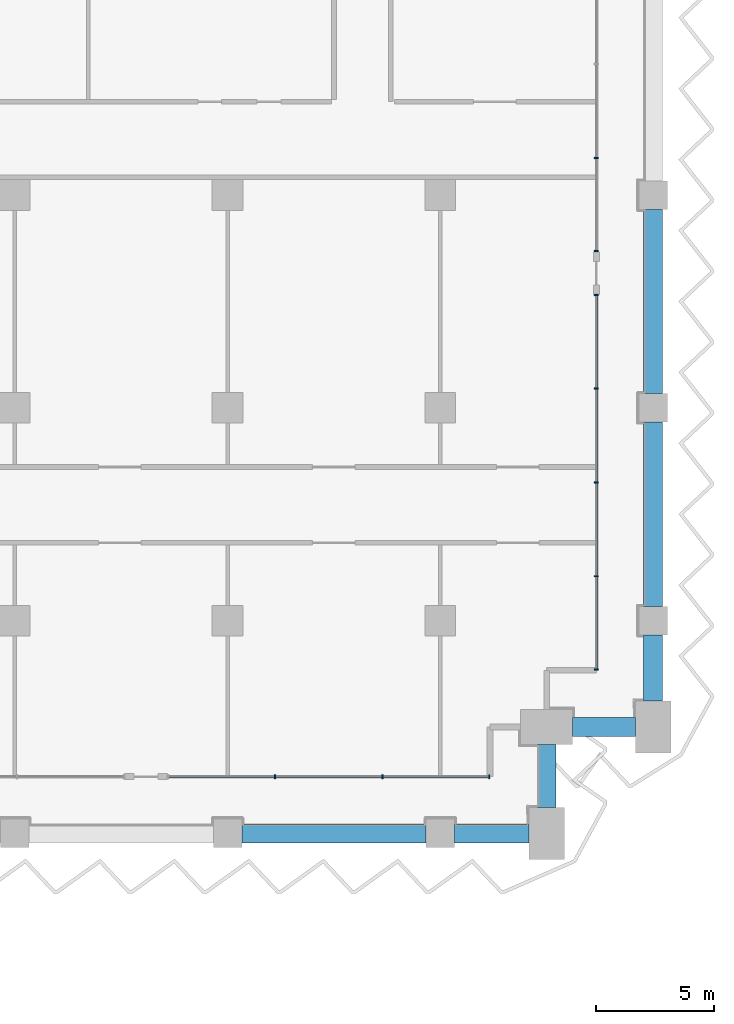
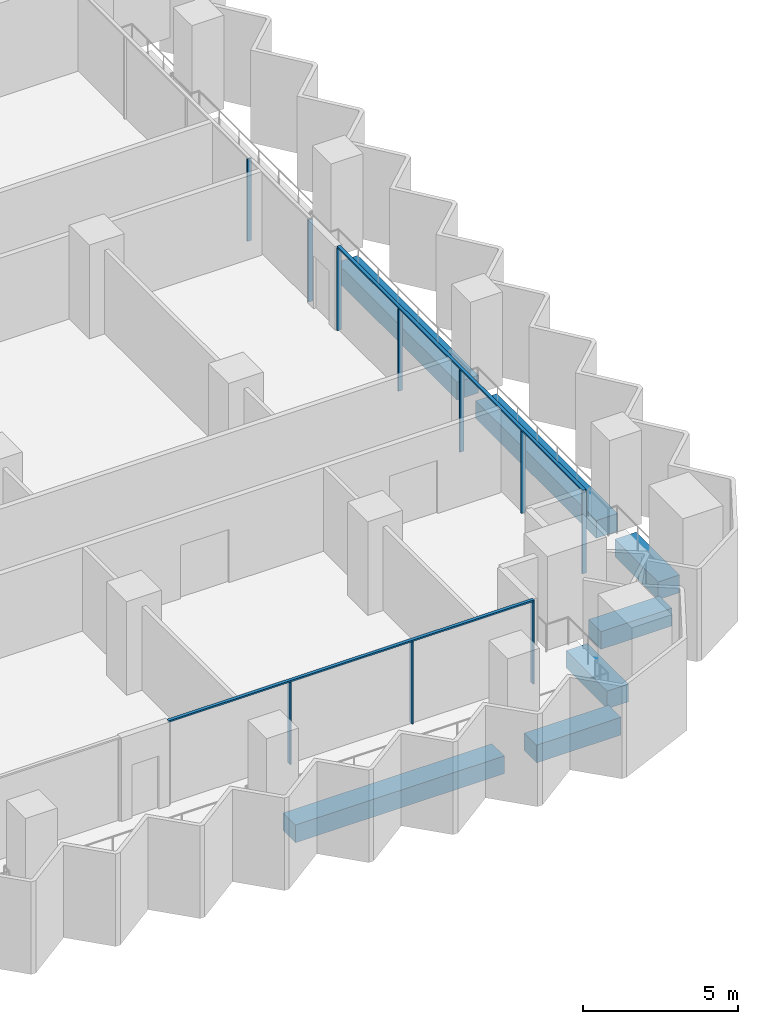
# One storey, part 5 of 22: 12 members, 7 beams, 3 elements without a shape of their own.
"""IFC4 building model written with IfcOpenShell, lengths in metres."""

from ifc_helpers import new_model, si_unit, direction, frame, origin, origin_2d, place, context, subcontext, project, spatial, rectangle, extrude, material, material_profile, profile_set, type_object, element, aggregate, save


model = new_model("IFC4")

# Units and contexts
model_context = context("Model", 3, precision=1e-05, world=origin(), true_north=direction((0.0, 1.0)))
body_context = subcontext(model_context, "Body", "Model", "MODEL_VIEW")
ifc_project = project(units=[si_unit("LENGTHUNIT", "METRE"), si_unit("AREAUNIT", "SQUARE_METRE"), si_unit("VOLUMEUNIT", "CUBIC_METRE"), si_unit("PLANEANGLEUNIT", "RADIAN"), si_unit("MASSUNIT", "GRAM", prefix="KILO")], contexts=[model_context])

# Site, building, storey
site_placement = place(None, origin())
site = spatial("IfcSite", under=ifc_project, at=site_placement, CompositionType="ELEMENT")
building_placement = place(site_placement, origin())
building = spatial("IfcBuilding", under=site, at=building_placement, Name="Hunhe Ridgeline Campus", CompositionType="ELEMENT")
storey_placement = place(building_placement, frame((0.0, 0.0, 118.10009765625)))
storey = spatial("IfcBuildingStorey", under=building, at=storey_placement, Name="L29", CompositionType="ELEMENT", Elevation=118.10009765625)

# Curtain wall, members
ifc_material_1 = material(Name="Aluminium 6063", Category="aluminium")
curtain_wall_type = type_object("IfcCurtainWallType", Name="Curtain wall CW-1", PredefinedType="NOTDEFINED", material=ifc_material_1)
curtain_wall_1_placement = place(storey_placement, origin())
curtain_wall_1 = element("IfcCurtainWall", 1, at=curtain_wall_1_placement, inside=storey, type_object=curtain_wall_type, Name="Curtain wall 13", PredefinedType="NOTDEFINED")
ifc_material_profile_1 = material_profile(ifc_material_1, rectangle(XDim=0.159912109375, YDim=0.06005859375, at=origin_2d()))
ifc_profile_set_1 = profile_set([ifc_material_profile_1], Name="Aluminium 6063")
member_type_1 = type_object("IfcMemberType", Name="CW-1 aluminium mullion", PredefinedType="MULLION", material=ifc_profile_set_1)
member_1_placement = place(storey_placement, frame((64.999267578125, 56.40087890625, 0.0), z_axis=(0.0, 0.0, 1.0), x_axis=(-1.4652e-07, 1.0, 0.0)))
member_1 = element("IfcMember", 2, at=member_1_placement, type_object=member_type_1, Name="CW-1 mullion 2", PredefinedType="MULLION", context=body_context, shape_type="SweptSolid", body=[
    extrude(rectangle(XDim=0.159912109375, YDim=0.06005859375, at=origin_2d()), origin(), (0.0, 0.0, 1.0), 3.239990234375),
])
member_2_placement = place(storey_placement, frame((69.549072265625, 56.40087890625, 0.0), z_axis=(0.0, 0.0, 1.0), x_axis=(-1.4652e-07, 1.0, 0.0)))
member_2 = element("IfcMember", 3, at=member_2_placement, type_object=member_type_1, Name="CW-1 mullion 3", PredefinedType="MULLION", context=body_context, shape_type="SweptSolid", body=[
    extrude(rectangle(XDim=0.159912109375, YDim=0.06005859375, at=origin_2d()), origin(), (0.0, 0.0, 1.0), 3.239990234375),
])
member_3_placement = place(storey_placement, frame((74.069091796875, 56.40087890625, 0.0), z_axis=(0.0, 0.0, 1.0), x_axis=(-1.4652e-07, 1.0, 0.0)))
member_3 = element("IfcMember", 4, at=member_3_placement, type_object=member_type_1, Name="CW-1 mullion 4", PredefinedType="MULLION", context=body_context, shape_type="SweptSolid", body=[
    extrude(rectangle(XDim=0.159912109375, YDim=0.06005859375, at=origin_2d()), origin(), (0.0, 0.0, 1.0), 3.239990234375),
])

curtain_wall_2_placement = place(storey_placement, origin())
curtain_wall_2 = element("IfcCurtainWall", 5, at=curtain_wall_2_placement, inside=storey, type_object=curtain_wall_type, Name="Curtain wall 14", PredefinedType="NOTDEFINED")
member_4_placement = place(storey_placement, frame((78.59912109375, 60.930908203125, 0.0), z_axis=(0.0, 0.0, 1.0), x_axis=(-1.0, 0.0, 0.0)))
member_4 = element("IfcMember", 6, at=member_4_placement, type_object=member_type_1, Name="CW-1 mullion 1", PredefinedType="MULLION", context=body_context, shape_type="SweptSolid", body=[
    extrude(rectangle(XDim=0.159912109375, YDim=0.06005859375, at=origin_2d()), origin(), (0.0, 0.0, 1.0), 3.239990234375),
])
member_5_placement = place(storey_placement, frame((78.59912109375, 64.8759765625, 0.0), z_axis=(0.0, 0.0, 1.0), x_axis=(-1.0, 0.0, 0.0)))
member_5 = element("IfcMember", 7, at=member_5_placement, type_object=member_type_1, Name="CW-1 mullion 2", PredefinedType="MULLION", context=body_context, shape_type="SweptSolid", body=[
    extrude(rectangle(XDim=0.159912109375, YDim=0.06005859375, at=origin_2d()), origin(), (0.0, 0.0, 1.0), 3.239990234375),
])
member_6_placement = place(storey_placement, frame((78.59912109375, 68.850830078125, 0.0), z_axis=(0.0, 0.0, 1.0), x_axis=(-1.0, 0.0, 0.0)))
member_6 = element("IfcMember", 8, at=member_6_placement, type_object=member_type_1, Name="CW-1 mullion 3", PredefinedType="MULLION", context=body_context, shape_type="SweptSolid", body=[
    extrude(rectangle(XDim=0.159912109375, YDim=0.06005859375, at=origin_2d()), origin(), (0.0, 0.0, 1.0), 3.239990234375),
])
member_7_placement = place(storey_placement, frame((78.59912109375, 72.82568359375, 0.0), z_axis=(0.0, 0.0, 1.0), x_axis=(-1.0, 0.0, 0.0)))
member_7 = element("IfcMember", 9, at=member_7_placement, type_object=member_type_1, Name="CW-1 mullion 4", PredefinedType="MULLION", context=body_context, shape_type="SweptSolid", body=[
    extrude(rectangle(XDim=0.159912109375, YDim=0.06005859375, at=origin_2d()), origin(), (0.0, 0.0, 1.0), 3.239990234375),
])
member_8_placement = place(storey_placement, frame((78.59912109375, 76.7705078125, 0.0), z_axis=(0.0, 0.0, 1.0), x_axis=(-1.0, 0.0, 0.0)))
member_8 = element("IfcMember", 10, at=member_8_placement, type_object=member_type_1, Name="CW-1 mullion 5", PredefinedType="MULLION", context=body_context, shape_type="SweptSolid", body=[
    extrude(rectangle(XDim=0.159912109375, YDim=0.06005859375, at=origin_2d()), origin(), (0.0, 0.0, 1.0), 3.239990234375),
])

curtain_wall_3_placement = place(storey_placement, origin())
curtain_wall_3 = element("IfcCurtainWall", 11, at=curtain_wall_3_placement, inside=storey, type_object=curtain_wall_type, Name="Curtain wall 15", PredefinedType="NOTDEFINED")
member_9_placement = place(storey_placement, frame((78.59912109375, 78.630615234375, 0.0), z_axis=(0.0, 0.0, 1.0), x_axis=(-1.0, 0.0, 0.0)))
member_9 = element("IfcMember", 12, at=member_9_placement, type_object=member_type_1, Name="CW-1 mullion 1", PredefinedType="MULLION", context=body_context, shape_type="SweptSolid", body=[
    extrude(rectangle(XDim=0.159912109375, YDim=0.06005859375, at=origin_2d()), origin(), (0.0, 0.0, 1.0), 3.239990234375),
])
member_10_placement = place(storey_placement, frame((78.59912109375, 82.575439453125, 0.0), z_axis=(0.0, 0.0, 1.0), x_axis=(-1.0, 0.0, 0.0)))
member_10 = element("IfcMember", 13, at=member_10_placement, type_object=member_type_1, Name="CW-1 mullion 2", PredefinedType="MULLION", context=body_context, shape_type="SweptSolid", body=[
    extrude(rectangle(XDim=0.159912109375, YDim=0.06005859375, at=origin_2d()), origin(), (0.0, 0.0, 1.0), 3.239990234375),
])
aggregate(curtain_wall_3, [member_9, member_10])

# Member
ifc_material_profile_2 = material_profile(ifc_material_1, rectangle(XDim=0.1201171875, YDim=0.06005859375, at=origin_2d()))
ifc_profile_set_2 = profile_set([ifc_material_profile_2], Name="Aluminium 6063")
member_type_2 = type_object("IfcMemberType", Name="CW-1 aluminium transom", PredefinedType="USERDEFINED", material=ifc_profile_set_2)
member_11_placement = place(storey_placement, frame((60.449462890625, 56.40087890625, 3.27001953125), z_axis=(1.0, 0.0, 0.0), x_axis=(0.0, 1.0, 0.0)))
member_11 = element("IfcMember", 14, at=member_11_placement, type_object=member_type_2, Name="CW-1 transom 1", ObjectType="TRANSOM", PredefinedType="USERDEFINED", context=body_context, shape_type="SweptSolid", body=[
    extrude(rectangle(XDim=0.1201171875, YDim=0.06005859375, at=origin_2d()), origin(), (0.0, 0.0, 1.0), 13.649658203125),
])

aggregate(curtain_wall_1, [member_11, member_1, member_2, member_3])

member_12_placement = place(storey_placement, frame((78.59912109375, 60.90087890625, 3.27001953125), z_axis=(0.0, 1.0, 0.0), x_axis=(-1.0, 0.0, 0.0)))
member_12 = element("IfcMember", 15, at=member_12_placement, type_object=member_type_2, Name="CW-1 transom 1", ObjectType="TRANSOM", PredefinedType="USERDEFINED", context=body_context, shape_type="SweptSolid", body=[
    extrude(rectangle(XDim=0.1201171875, YDim=0.06005859375, at=origin_2d()), origin(), (0.0, 0.0, 1.0), 15.899658203125),
])

aggregate(curtain_wall_2, [member_12, member_4, member_5, member_6, member_7, member_8])

# Beams
ifc_material_2 = material(Name="Concrete C60", Category="concrete")
ifc_material_profile_3 = material_profile(ifc_material_2, rectangle(XDim=0.800048828125, YDim=0.699951171875, at=origin_2d()))
ifc_profile_set_3 = profile_set([ifc_material_profile_3], Name="Concrete C60")
beam_type = type_object("IfcBeamType", Name="RC spandrel beam 800x700 Concrete C60", PredefinedType="SPANDREL", material=ifc_profile_set_3)
beam_1_placement = place(storey_placement, frame((63.60009765625, 54.0, -0.60009765625), z_axis=(1.0, 0.0, 0.0), x_axis=(0.0, 1.0, 0.0)))
element("IfcBeam", 16, at=beam_1_placement, inside=storey, type_object=beam_type, Name="Spandrel beam B1-14 L29", PredefinedType="SPANDREL", context=body_context, shape_type="SweptSolid", body=[
    extrude(rectangle(XDim=0.800048828125, YDim=0.699951171875, at=origin_2d()), origin(), (0.0, 0.0, 1.0), 7.7998046875),
])
beam_2_placement = place(storey_placement, frame((72.60009765625, 54.0, -0.60009765625), z_axis=(1.0, 0.0, 0.0), x_axis=(0.0, 1.0, 0.0)))
element("IfcBeam", 17, at=beam_2_placement, inside=storey, type_object=beam_type, Name="Spandrel beam B1-15 L29", PredefinedType="SPANDREL", context=body_context, shape_type="SweptSolid", body=[
    extrude(rectangle(XDim=0.800048828125, YDim=0.699951171875, at=origin_2d()), origin(), (0.0, 0.0, 1.0), 3.14990234375),
])
for number, where, z_axis, x_axis, name in (
    (18, (76.5, 55.10009765625, -0.60009765625), (0.0, 1.0, 0.0), (-1.0, 0.0, 0.0), "Spandrel beam B1-16 L29"),
    (19, (77.60009765625, 58.5, -0.60009765625), (1.0, 0.0, 0.0), (0.0, 1.0, 0.0), "Spandrel beam B1-17 L29"),
):
    element("IfcBeam", number, at=place(storey_placement, frame(where, z_axis=z_axis, x_axis=x_axis)), inside=storey, type_object=beam_type, Name=name, PredefinedType="SPANDREL", context=body_context, shape_type="SweptSolid", body=[
        extrude(rectangle(XDim=0.800048828125, YDim=0.699951171875, at=origin_2d()), origin(), (0.0, 0.0, 1.0), 2.64990234375),
    ])
beam_3_placement = place(storey_placement, frame((81.0, 59.60009765625, -0.60009765625), z_axis=(0.0, 1.0, 0.0), x_axis=(-1.0, 0.0, 0.0)))
element("IfcBeam", 20, at=beam_3_placement, inside=storey, type_object=beam_type, Name="Spandrel beam B1-18 L29", PredefinedType="SPANDREL", context=body_context, shape_type="SweptSolid", body=[
    extrude(rectangle(XDim=0.800048828125, YDim=0.699951171875, at=origin_2d()), origin(), (0.0, 0.0, 1.0), 2.7998046875),
])
for number, where, z_axis, x_axis, name in (
    (21, (81.0, 63.60009765625, -0.60009765625), (0.0, 1.0, 0.0), (-1.0, 0.0, 0.0), "Spandrel beam B1-19 L29"),
    (22, (81.0, 72.60009765625, -0.60009765625), (0.0, 1.0, 0.0), (-1.0, 0.0, 0.0), "Spandrel beam B1-20 L29"),
):
    element("IfcBeam", number, at=place(storey_placement, frame(where, z_axis=z_axis, x_axis=x_axis)), inside=storey, type_object=beam_type, Name=name, PredefinedType="SPANDREL", context=body_context, shape_type="SweptSolid", body=[
        extrude(rectangle(XDim=0.800048828125, YDim=0.699951171875, at=origin_2d()), origin(), (0.0, 0.0, 1.0), 7.7998046875),
    ])

save(model, "model.ifc")
